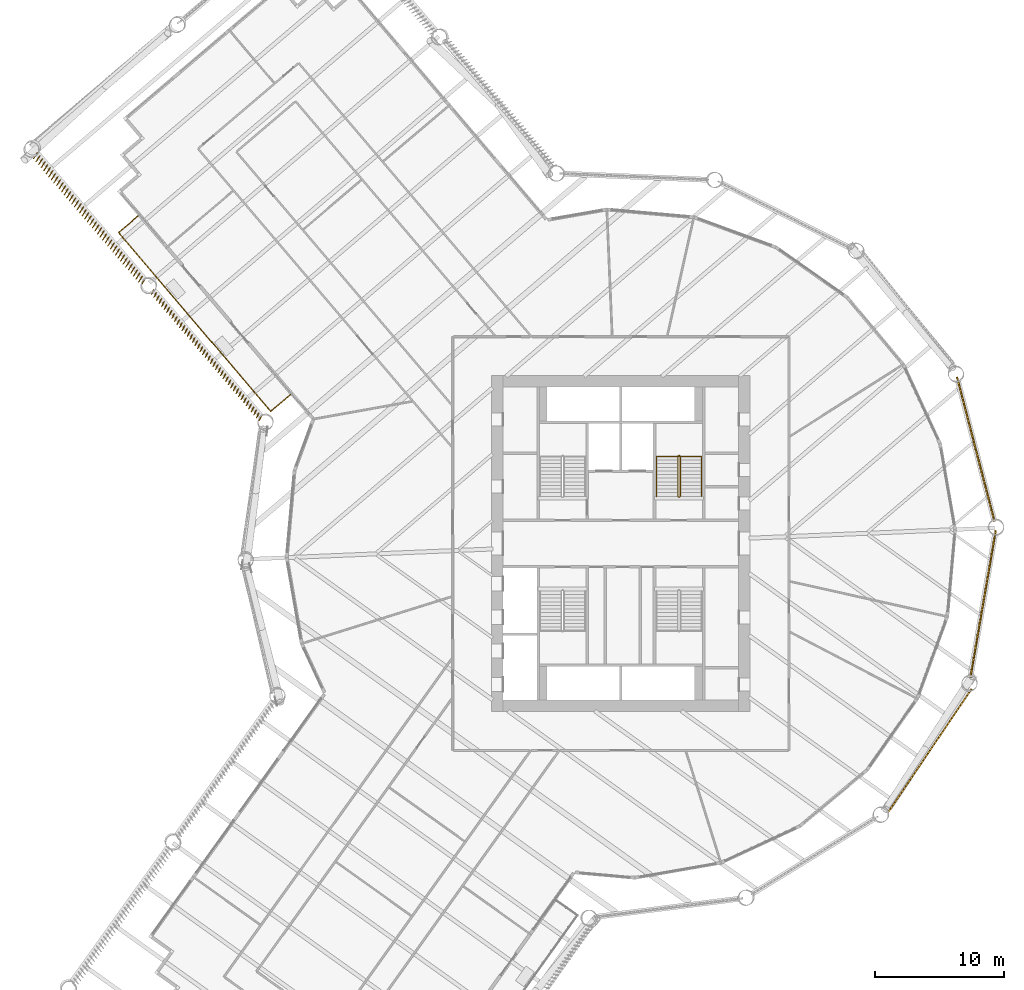
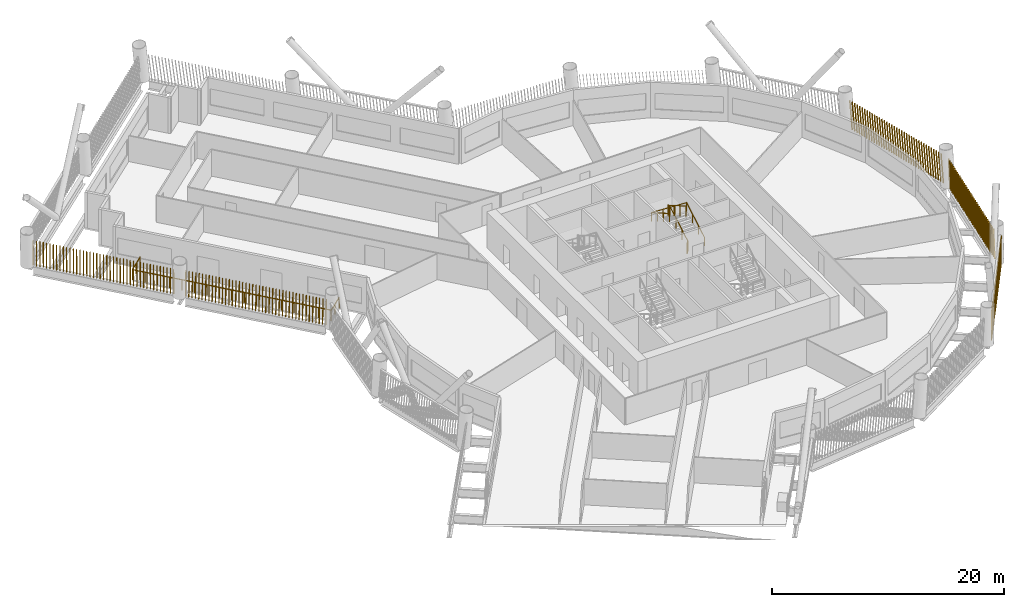
# One storey, part 19 of 21: 5 shading devices, 3 railings.
"""IFC4 building model written with IfcOpenShell, lengths in metres."""

from ifc_helpers import new_model, si_unit, direction, frame, frame_2d, origin, origin_2d, place, context, subcontext, project, spatial, rectangle, circle, composite_profile, extrude, material, type_object, element, save


model = new_model("IFC4")

# Units and contexts
model_context = context("Model", 3, precision=1e-05, world=origin(), true_north=direction((0.0, 1.0)))
body_context = subcontext(model_context, "Body", "Model", "MODEL_VIEW")
ifc_project = project(units=[si_unit("LENGTHUNIT", "METRE"), si_unit("AREAUNIT", "SQUARE_METRE"), si_unit("VOLUMEUNIT", "CUBIC_METRE"), si_unit("PLANEANGLEUNIT", "RADIAN"), si_unit("MASSUNIT", "GRAM", prefix="KILO")], contexts=[model_context])

# Site, building, storey
site_placement = place(None, origin())
site = spatial("IfcSite", under=ifc_project, at=site_placement, CompositionType="ELEMENT")
building_placement = place(site_placement, origin())
building = spatial("IfcBuilding", under=site, at=building_placement, Name="Tarsis Ring Headquarters", CompositionType="ELEMENT")
storey_placement = place(building_placement, frame((0.0, 0.0, 47.800048828125)))
storey = spatial("IfcBuildingStorey", under=building, at=storey_placement, Name="L09", CompositionType="ELEMENT", Elevation=47.800048828125)

# Railings
ifc_material_1 = material(Name="Stainless steel guard", Category="steel")
railing_type_1 = type_object("IfcRailingType", Name="Balcony balustrade with mesh infill 1100", PredefinedType="BALUSTRADE", material=ifc_material_1)
railing_1_placement = place(storey_placement, frame((-37.331787109375, 25.349365234375, 0.0)))
element("IfcRailing", 1, at=railing_1_placement, inside=storey, type_object=railing_type_1, Name="Balcony balustrade L09-01", PredefinedType="BALUSTRADE", context=body_context, shape_type="SweptSolid", body=[
    extrude(circle(Radius=0.030029296875, at=origin_2d()), frame((0.0, 0.0, 1.070068359375), z_axis=(-0.761535543631, -0.648123148627, 0.0), x_axis=(0.648123148627, -0.761535543631, 0.0)), (0.0, 0.0, 1.0), 1.999755859375),
    extrude(circle(Radius=0.030029296875, at=origin_2d()), frame((-1.52294921875, -1.296142578125, 1.070068359375), z_axis=(0.648119789971, -0.761538402084, 0.0), x_axis=(0.761538402084, 0.648119789971, 0.0)), (0.0, 0.0, 1.0), 18.171875),
    extrude(circle(Radius=0.030029296875, at=origin_2d()), frame((10.254638671875, -15.134765625, 1.070068359375), z_axis=(0.761586817881, 0.64806289728, 0.0), x_axis=(-0.64806289728, 0.761586817881, 0.0)), (0.0, 0.0, 1.0), 2.0),
    extrude(circle(Radius=0.02490234375, at=origin_2d()), origin(), (0.0, 0.0, 1.0), 1.0400390625),
    extrude(circle(Radius=0.02490234375, at=origin_2d()), frame((-0.761474609375, -0.64794921875, 0.0)), (0.0, 0.0, 1.0), 1.0400390625),
    extrude(circle(Radius=0.02490234375, at=origin_2d()), frame((-1.52294921875, -1.296142578125, 0.0)), (0.0, 0.0, 1.0), 1.0400390625),
    extrude(circle(Radius=0.02490234375, at=origin_2d()), frame((-0.786865234375, -2.1611328125, 0.0)), (0.0, 0.0, 1.0), 1.0400390625),
    extrude(circle(Radius=0.02490234375, at=origin_2d()), frame((-0.05078125, -3.02587890625, 0.0)), (0.0, 0.0, 1.0), 1.0400390625),
    extrude(circle(Radius=0.02490234375, at=origin_2d()), frame((0.685302734375, -3.890869140625, 0.0)), (0.0, 0.0, 1.0), 1.0400390625),
    extrude(circle(Radius=0.02490234375, at=origin_2d()), frame((1.42138671875, -4.755859375, 0.0)), (0.0, 0.0, 1.0), 1.0400390625),
    extrude(circle(Radius=0.02490234375, at=origin_2d()), frame((2.157470703125, -5.62060546875, 0.0)), (0.0, 0.0, 1.0), 1.0400390625),
    extrude(circle(Radius=0.02490234375, at=origin_2d()), frame((2.8935546875, -6.485595703125, 0.0)), (0.0, 0.0, 1.0), 1.0400390625),
    extrude(circle(Radius=0.02490234375, at=origin_2d()), frame((3.629638671875, -7.3505859375, 0.0)), (0.0, 0.0, 1.0), 1.0400390625),
    extrude(circle(Radius=0.02490234375, at=origin_2d()), frame((4.36572265625, -8.21533203125, 0.0)), (0.0, 0.0, 1.0), 1.0400390625),
    extrude(circle(Radius=0.02490234375, at=origin_2d()), frame((5.10205078125, -9.080322265625, 0.0)), (0.0, 0.0, 1.0), 1.0400390625),
    extrude(circle(Radius=0.02490234375, at=origin_2d()), frame((5.838134765625, -9.9453125, 0.0)), (0.0, 0.0, 1.0), 1.0400390625),
    extrude(circle(Radius=0.02490234375, at=origin_2d()), frame((6.57421875, -10.810302734375, 0.0)), (0.0, 0.0, 1.0), 1.0400390625),
    extrude(circle(Radius=0.02490234375, at=origin_2d()), frame((7.310302734375, -11.675048828125, 0.0)), (0.0, 0.0, 1.0), 1.0400390625),
    extrude(circle(Radius=0.02490234375, at=origin_2d()), frame((8.04638671875, -12.5400390625, 0.0)), (0.0, 0.0, 1.0), 1.0400390625),
    extrude(circle(Radius=0.02490234375, at=origin_2d()), frame((8.782470703125, -13.405029296875, 0.0)), (0.0, 0.0, 1.0), 1.0400390625),
    extrude(circle(Radius=0.02490234375, at=origin_2d()), frame((9.5185546875, -14.269775390625, 0.0)), (0.0, 0.0, 1.0), 1.0400390625),
    extrude(circle(Radius=0.02490234375, at=origin_2d()), frame((10.254638671875, -15.134765625, 0.0)), (0.0, 0.0, 1.0), 1.0400390625),
    extrude(circle(Radius=0.02490234375, at=origin_2d()), frame((11.01611328125, -14.48681640625, 0.0)), (0.0, 0.0, 1.0), 1.0400390625),
    extrude(circle(Radius=0.02490234375, at=origin_2d()), frame((11.77783203125, -13.838623046875, 0.0)), (0.0, 0.0, 1.0), 1.0400390625),
])
ifc_material_2 = material(Name="Steel S355", Category="steel")
railing_type_2 = type_object("IfcRailingType", Name="Core stair guard 1100", PredefinedType="GUARDRAIL", material=ifc_material_2)
railing_2_placement = place(storey_placement, frame((4.4599609375, 3.610107421875, 0.0)))
element("IfcRailing", 2, at=railing_2_placement, inside=storey, type_object=railing_type_2, Name="L09 ST2 stair guard 1", PredefinedType="GUARDRAIL", context=body_context, shape_type="SweptSolid", body=[
    extrude(circle(Radius=0.02392578125, at=origin_2d()), frame((0.0, 0.0, 1.076171875), z_axis=(1.0, 0.0, 0.0), x_axis=(0.0, 1.0, 0.0)), (0.0, 0.0, 1.0), 0.080078125),
    extrude(circle(Radius=0.02392578125, at=origin_2d()), frame((0.080078125, 0.0, 1.076171875), z_axis=(0.282693820306, 0.281314826061, 0.917031173188), x_axis=(-0.705375805398, 0.708833529934, 0.0)), (0.0, 0.0, 1.0), 0.177001953125),
    extrude(circle(Radius=0.02392578125, at=origin_2d()), frame((0.130126953125, 0.0498046875, 1.23828125), z_axis=(0.0, 0.864890721111, 0.501960198159), x_axis=(-1.0, 0.0, 0.0)), (0.0, 0.0, 1.0), 3.561279296875),
    extrude(circle(Radius=0.02392578125, at=origin_2d()), frame((0.130126953125, 3.1298828125, 3.02587890625), z_axis=(-0.707106781187, 0.707106781187, 0.0), x_axis=(-0.707106781187, -0.707106781187, 0.0)), (0.0, 0.0, 1.0), 0.07080078125),
    extrude(circle(Radius=0.02392578125, at=origin_2d()), frame((0.080078125, 3.179931640625, 3.02587890625), z_axis=(-1.0, 0.0, 0.0), x_axis=(0.0, -1.0, 0.0)), (0.0, 0.0, 1.0), 0.080078125),
    extrude(circle(Radius=0.02392578125, at=origin_2d()), frame((0.0, 3.179931640625, 3.02587890625), z_axis=(-0.282227285176, -0.282227285176, 0.916894497205), x_axis=(0.707106781187, -0.707106781187, 0.0)), (0.0, 0.0, 1.0), 0.17724609375),
    extrude(circle(Radius=0.02392578125, at=origin_2d()), frame((-0.050048828125, 3.1298828125, 3.1884765625), z_axis=(0.0, -0.864920483161, 0.501908913857), x_axis=(1.0, 0.0, 0.0)), (0.0, 0.0, 1.0), 3.56103515625),
    extrude(circle(Radius=0.02099609375, at=origin_2d()), origin(), (0.0, 0.0, 1.0), 1.052001953125),
    extrude(circle(Radius=0.02099609375, at=origin_2d()), frame((0.080078125, 0.0, 0.0)), (0.0, 0.0, 1.0), 1.052001953125),
    extrude(circle(Radius=0.02099609375, at=origin_2d()), frame((0.130126953125, 0.0498046875, 0.162353515625)), (0.0, 0.0, 1.0), 1.052001953125),
    extrude(circle(Radius=0.02099609375, at=origin_2d()), frame((0.130126953125, 1.076416015625, 0.75830078125)), (0.0, 0.0, 1.0), 1.052001953125),
    extrude(circle(Radius=0.02099609375, at=origin_2d()), frame((0.130126953125, 2.103271484375, 1.35400390625)), (0.0, 0.0, 1.0), 1.052001953125),
    extrude(circle(Radius=0.02099609375, at=origin_2d()), frame((0.130126953125, 3.1298828125, 1.949951171875)), (0.0, 0.0, 1.0), 1.052001953125),
    extrude(circle(Radius=0.02099609375, at=origin_2d()), frame((0.080078125, 3.179931640625, 1.949951171875)), (0.0, 0.0, 1.0), 1.052001953125),
    extrude(circle(Radius=0.02099609375, at=origin_2d()), frame((0.0, 3.179931640625, 1.949951171875)), (0.0, 0.0, 1.0), 1.052001953125),
    extrude(circle(Radius=0.02099609375, at=origin_2d()), frame((-0.050048828125, 3.1298828125, 2.112548828125)), (0.0, 0.0, 1.0), 1.052001953125),
    extrude(circle(Radius=0.02099609375, at=origin_2d()), frame((-0.050048828125, 2.103271484375, 2.708251953125)), (0.0, 0.0, 1.0), 1.052001953125),
    extrude(circle(Radius=0.02099609375, at=origin_2d()), frame((-0.050048828125, 1.076416015625, 3.30419921875)), (0.0, 0.0, 1.0), 1.052001953125),
    extrude(circle(Radius=0.02099609375, at=origin_2d()), frame((-0.050048828125, 0.0498046875, 3.89990234375)), (0.0, 0.0, 1.0), 1.052001953125),
])
railing_type_3 = type_object("IfcRailingType", Name="Core stair handrail 900", PredefinedType="HANDRAIL", material=ifc_material_2)
railing_3_placement = place(storey_placement, frame((6.25, 3.659912109375, 0.162353515625)))
element("IfcRailing", 3, at=railing_3_placement, inside=storey, type_object=railing_type_3, Name="L09 ST2 stair handrail 1", PredefinedType="HANDRAIL", context=body_context, shape_type="SweptSolid", body=[
    extrude(circle(Radius=0.02392578125, at=origin_2d()), frame((0.0, 0.0, 0.8759765625), z_axis=(0.0, 0.864890721111, 0.501960198159), x_axis=(-1.0, 0.0, 0.0)), (0.0, 0.0, 1.0), 3.561279296875),
    extrude(circle(Radius=0.02392578125, at=origin_2d()), frame((0.0, 3.080078125, 2.66357421875), z_axis=(-0.998922641604, 0.0, 0.046406422943), x_axis=(0.0, -1.0, 0.0)), (0.0, 0.0, 1.0), 3.503662109375),
    extrude(circle(Radius=0.02392578125, at=origin_2d()), frame((-3.5, 3.080078125, 2.826171875), z_axis=(0.0, -0.864920483161, 0.501908913857), x_axis=(1.0, 0.0, 0.0)), (0.0, 0.0, 1.0), 3.56103515625),
    extrude(circle(Radius=0.02099609375, at=origin_2d()), origin(), (0.0, 0.0, 1.0), 0.851806640625),
    extrude(circle(Radius=0.02099609375, at=origin_2d()), frame((0.0, 1.026611328125, 0.595947265625)), (0.0, 0.0, 1.0), 0.851806640625),
    extrude(circle(Radius=0.02099609375, at=origin_2d()), frame((0.0, 2.053466796875, 1.191650390625)), (0.0, 0.0, 1.0), 0.851806640625),
    extrude(circle(Radius=0.02099609375, at=origin_2d()), frame((0.0, 3.080078125, 1.78759765625)), (0.0, 0.0, 1.0), 0.851806640625),
    extrude(circle(Radius=0.02099609375, at=origin_2d()), frame((-1.166748046875, 3.080078125, 1.841796875)), (0.0, 0.0, 1.0), 0.851806640625),
    extrude(circle(Radius=0.02099609375, at=origin_2d()), frame((-2.333251953125, 3.080078125, 1.89599609375)), (0.0, 0.0, 1.0), 0.851806640625),
    extrude(circle(Radius=0.02099609375, at=origin_2d()), frame((-3.5, 3.080078125, 1.9501953125)), (0.0, 0.0, 1.0), 0.851806640625),
    extrude(circle(Radius=0.02099609375, at=origin_2d()), frame((-3.5, 2.053466796875, 2.5458984375)), (0.0, 0.0, 1.0), 0.851806640625),
    extrude(circle(Radius=0.02099609375, at=origin_2d()), frame((-3.5, 1.026611328125, 3.141845703125)), (0.0, 0.0, 1.0), 0.851806640625),
    extrude(circle(Radius=0.02099609375, at=origin_2d()), frame((-3.5, 0.0, 3.737548828125)), (0.0, 0.0, 1.0), 0.851806640625),
])

# Shading devices
ifc_material_3 = material(Name="Terracotta baguette", Category="masonry")
shading_device_type = type_object("IfcShadingDeviceType", Name="Terracotta baguette screen", PredefinedType="USERDEFINED", material=ifc_material_3)
shading_device_1_placement = place(storey_placement, frame((20.66552734375, -20.792236328125, 0.0), z_axis=(0.0, 0.0, 1.0), x_axis=(0.560846446012, 0.827932718394, 0.0)))
element("IfcShadingDevice", 4, at=shading_device_1_placement, inside=storey, type_object=shading_device_type, Name="Baguette screen L09-09", ObjectType="Terracotta baguette screen", PredefinedType="USERDEFINED", context=body_context, shape_type="SweptSolid", body=[
    extrude(composite_profile([rectangle(XDim=0.06005859375, YDim=0.1201171875, at=frame_2d((0.030029296875, 0.0))), rectangle(XDim=0.06005859375, YDim=0.1201171875, at=frame_2d((0.33251953125, 0.0))), rectangle(XDim=0.06005859375, YDim=0.1201171875, at=frame_2d((0.634765625, 0.0))), rectangle(XDim=0.06005859375, YDim=0.1201171875, at=frame_2d((0.937255859375, 0.0))), rectangle(XDim=0.06005859375, YDim=0.1201171875, at=frame_2d((1.239501953125, 0.0))), rectangle(XDim=0.06005859375, YDim=0.1201171875, at=frame_2d((1.5419921875, 0.0))), rectangle(XDim=0.06005859375, YDim=0.1201171875, at=frame_2d((1.844482421875, 0.0))), rectangle(XDim=0.06005859375, YDim=0.1201171875, at=frame_2d((2.146728515625, 0.0))), rectangle(XDim=0.06005859375, YDim=0.1201171875, at=frame_2d((2.44921875, 0.0))), rectangle(XDim=0.06005859375, YDim=0.1201171875, at=frame_2d((2.751708984375, 0.0))), rectangle(XDim=0.06005859375, YDim=0.1201171875, at=frame_2d((3.053955078125, 0.0))), rectangle(XDim=0.06005859375, YDim=0.1201171875, at=frame_2d((3.3564453125, 0.0))), rectangle(XDim=0.06005859375, YDim=0.1201171875, at=frame_2d((3.65869140625, 0.0))), rectangle(XDim=0.06005859375, YDim=0.1201171875, at=frame_2d((3.961181640625, 0.0))), rectangle(XDim=0.06005859375, YDim=0.1201171875, at=frame_2d((4.263671875, 0.0))), rectangle(XDim=0.06005859375, YDim=0.1201171875, at=frame_2d((4.56591796875, 0.0))), rectangle(XDim=0.06005859375, YDim=0.1201171875, at=frame_2d((4.868408203125, 0.0))), rectangle(XDim=0.06005859375, YDim=0.1201171875, at=frame_2d((5.1708984375, 0.0))), rectangle(XDim=0.06005859375, YDim=0.1201171875, at=frame_2d((5.47314453125, 0.0))), rectangle(XDim=0.06005859375, YDim=0.1201171875, at=frame_2d((5.775634765625, 0.0))), rectangle(XDim=0.06005859375, YDim=0.1201171875, at=frame_2d((6.077880859375, 0.0))), rectangle(XDim=0.06005859375, YDim=0.1201171875, at=frame_2d((6.38037109375, 0.0))), rectangle(XDim=0.06005859375, YDim=0.1201171875, at=frame_2d((6.682861328125, 0.0))), rectangle(XDim=0.06005859375, YDim=0.1201171875, at=frame_2d((6.985107421875, 0.0))), rectangle(XDim=0.06005859375, YDim=0.1201171875, at=frame_2d((7.28759765625, 0.0))), rectangle(XDim=0.06005859375, YDim=0.1201171875, at=frame_2d((7.590087890625, 0.0))), rectangle(XDim=0.06005859375, YDim=0.1201171875, at=frame_2d((7.892333984375, 0.0))), rectangle(XDim=0.06005859375, YDim=0.1201171875, at=frame_2d((8.19482421875, 0.0))), rectangle(XDim=0.06005859375, YDim=0.1201171875, at=frame_2d((8.4970703125, 0.0))), rectangle(XDim=0.06005859375, YDim=0.1201171875, at=frame_2d((8.799560546875, 0.0))), rectangle(XDim=0.06005859375, YDim=0.1201171875, at=frame_2d((9.10205078125, 0.0))), rectangle(XDim=0.06005859375, YDim=0.1201171875, at=frame_2d((9.404296875, 0.0))), rectangle(XDim=0.06005859375, YDim=0.1201171875, at=frame_2d((9.706787109375, 0.0))), rectangle(XDim=0.06005859375, YDim=0.1201171875, at=frame_2d((10.00927734375, 0.0))), rectangle(XDim=0.06005859375, YDim=0.1201171875, at=frame_2d((10.3115234375, 0.0))), rectangle(XDim=0.06005859375, YDim=0.1201171875, at=frame_2d((10.614013671875, 0.0))), rectangle(XDim=0.06005859375, YDim=0.1201171875, at=frame_2d((10.916259765625, 0.0))), rectangle(XDim=0.06005859375, YDim=0.1201171875, at=frame_2d((11.21875, 0.0)))]), origin(), (0.10151150968, 0.000531852225, 0.99483422264), 2.968017578125),
])
shading_device_2_placement = place(storey_placement, frame((27.029052734375, -10.362060546875, 0.0), z_axis=(0.0, 0.0, 1.0), x_axis=(0.169723277265, 0.985501899078, 0.0)))
element("IfcShadingDevice", 5, at=shading_device_2_placement, inside=storey, type_object=shading_device_type, Name="Baguette screen L09-10", ObjectType="Terracotta baguette screen", PredefinedType="USERDEFINED", context=body_context, shape_type="SweptSolid", body=[
    extrude(composite_profile([rectangle(XDim=0.06005859375, YDim=0.1201171875, at=frame_2d((0.030029296875, 0.0))), rectangle(XDim=0.06005859375, YDim=0.1201171875, at=frame_2d((0.33251953125, 0.0))), rectangle(XDim=0.06005859375, YDim=0.1201171875, at=frame_2d((0.634765625, 0.0))), rectangle(XDim=0.06005859375, YDim=0.1201171875, at=frame_2d((0.937255859375, 0.0))), rectangle(XDim=0.06005859375, YDim=0.1201171875, at=frame_2d((1.239501953125, 0.0))), rectangle(XDim=0.06005859375, YDim=0.1201171875, at=frame_2d((1.5419921875, 0.0))), rectangle(XDim=0.06005859375, YDim=0.1201171875, at=frame_2d((1.844482421875, 0.0))), rectangle(XDim=0.06005859375, YDim=0.1201171875, at=frame_2d((2.146728515625, 0.0))), rectangle(XDim=0.06005859375, YDim=0.1201171875, at=frame_2d((2.44921875, 0.0))), rectangle(XDim=0.06005859375, YDim=0.1201171875, at=frame_2d((2.751708984375, 0.0))), rectangle(XDim=0.06005859375, YDim=0.1201171875, at=frame_2d((3.053955078125, 0.0))), rectangle(XDim=0.06005859375, YDim=0.1201171875, at=frame_2d((3.3564453125, 0.0))), rectangle(XDim=0.06005859375, YDim=0.1201171875, at=frame_2d((3.65869140625, 0.0))), rectangle(XDim=0.06005859375, YDim=0.1201171875, at=frame_2d((3.961181640625, 0.0))), rectangle(XDim=0.06005859375, YDim=0.1201171875, at=frame_2d((4.263671875, 0.0))), rectangle(XDim=0.06005859375, YDim=0.1201171875, at=frame_2d((4.56591796875, 0.0))), rectangle(XDim=0.06005859375, YDim=0.1201171875, at=frame_2d((4.868408203125, 0.0))), rectangle(XDim=0.06005859375, YDim=0.1201171875, at=frame_2d((5.1708984375, 0.0))), rectangle(XDim=0.06005859375, YDim=0.1201171875, at=frame_2d((5.47314453125, 0.0))), rectangle(XDim=0.06005859375, YDim=0.1201171875, at=frame_2d((5.775634765625, 0.0))), rectangle(XDim=0.06005859375, YDim=0.1201171875, at=frame_2d((6.077880859375, 0.0))), rectangle(XDim=0.06005859375, YDim=0.1201171875, at=frame_2d((6.38037109375, 0.0))), rectangle(XDim=0.06005859375, YDim=0.1201171875, at=frame_2d((6.682861328125, 0.0))), rectangle(XDim=0.06005859375, YDim=0.1201171875, at=frame_2d((6.985107421875, 0.0))), rectangle(XDim=0.06005859375, YDim=0.1201171875, at=frame_2d((7.28759765625, 0.0))), rectangle(XDim=0.06005859375, YDim=0.1201171875, at=frame_2d((7.590087890625, 0.0))), rectangle(XDim=0.06005859375, YDim=0.1201171875, at=frame_2d((7.892333984375, 0.0))), rectangle(XDim=0.06005859375, YDim=0.1201171875, at=frame_2d((8.19482421875, 0.0))), rectangle(XDim=0.06005859375, YDim=0.1201171875, at=frame_2d((8.4970703125, 0.0))), rectangle(XDim=0.06005859375, YDim=0.1201171875, at=frame_2d((8.799560546875, 0.0))), rectangle(XDim=0.06005859375, YDim=0.1201171875, at=frame_2d((9.10205078125, 0.0))), rectangle(XDim=0.06005859375, YDim=0.1201171875, at=frame_2d((9.404296875, 0.0))), rectangle(XDim=0.06005859375, YDim=0.1201171875, at=frame_2d((9.706787109375, 0.0))), rectangle(XDim=0.06005859375, YDim=0.1201171875, at=frame_2d((10.00927734375, 0.0))), rectangle(XDim=0.06005859375, YDim=0.1201171875, at=frame_2d((10.3115234375, 0.0))), rectangle(XDim=0.06005859375, YDim=0.1201171875, at=frame_2d((10.614013671875, 0.0))), rectangle(XDim=0.06005859375, YDim=0.1201171875, at=frame_2d((10.916259765625, 0.0))), rectangle(XDim=0.06005859375, YDim=0.1201171875, at=frame_2d((11.21875, 0.0)))]), origin(), (0.100201561406, 0.000525261975, 0.994967020153), 2.967529296875),
])
shading_device_3_placement = place(storey_placement, frame((28.897216796875, 1.700439453125, 0.0), z_axis=(0.0, 0.0, 1.0), x_axis=(-0.25158979924, 0.967835051546, 0.0)))
element("IfcShadingDevice", 6, at=shading_device_3_placement, inside=storey, type_object=shading_device_type, Name="Baguette screen L09-11", ObjectType="Terracotta baguette screen", PredefinedType="USERDEFINED", context=body_context, shape_type="SweptSolid", body=[
    extrude(composite_profile([rectangle(XDim=0.06005859375, YDim=0.1201171875, at=frame_2d((0.030029296875, 0.0))), rectangle(XDim=0.06005859375, YDim=0.1201171875, at=frame_2d((0.33251953125, 0.0))), rectangle(XDim=0.06005859375, YDim=0.1201171875, at=frame_2d((0.634765625, 0.0))), rectangle(XDim=0.06005859375, YDim=0.1201171875, at=frame_2d((0.937255859375, 0.0))), rectangle(XDim=0.06005859375, YDim=0.1201171875, at=frame_2d((1.239501953125, 0.0))), rectangle(XDim=0.06005859375, YDim=0.1201171875, at=frame_2d((1.5419921875, 0.0))), rectangle(XDim=0.06005859375, YDim=0.1201171875, at=frame_2d((1.844482421875, 0.0))), rectangle(XDim=0.06005859375, YDim=0.1201171875, at=frame_2d((2.146728515625, 0.0))), rectangle(XDim=0.06005859375, YDim=0.1201171875, at=frame_2d((2.44921875, 0.0))), rectangle(XDim=0.06005859375, YDim=0.1201171875, at=frame_2d((2.751708984375, 0.0))), rectangle(XDim=0.06005859375, YDim=0.1201171875, at=frame_2d((3.053955078125, 0.0))), rectangle(XDim=0.06005859375, YDim=0.1201171875, at=frame_2d((3.3564453125, 0.0))), rectangle(XDim=0.06005859375, YDim=0.1201171875, at=frame_2d((3.65869140625, 0.0))), rectangle(XDim=0.06005859375, YDim=0.1201171875, at=frame_2d((3.961181640625, 0.0))), rectangle(XDim=0.06005859375, YDim=0.1201171875, at=frame_2d((4.263671875, 0.0))), rectangle(XDim=0.06005859375, YDim=0.1201171875, at=frame_2d((4.56591796875, 0.0))), rectangle(XDim=0.06005859375, YDim=0.1201171875, at=frame_2d((4.868408203125, 0.0))), rectangle(XDim=0.06005859375, YDim=0.1201171875, at=frame_2d((5.1708984375, 0.0))), rectangle(XDim=0.06005859375, YDim=0.1201171875, at=frame_2d((5.47314453125, 0.0))), rectangle(XDim=0.06005859375, YDim=0.1201171875, at=frame_2d((5.775634765625, 0.0))), rectangle(XDim=0.06005859375, YDim=0.1201171875, at=frame_2d((6.077880859375, 0.0))), rectangle(XDim=0.06005859375, YDim=0.1201171875, at=frame_2d((6.38037109375, 0.0))), rectangle(XDim=0.06005859375, YDim=0.1201171875, at=frame_2d((6.682861328125, 0.0))), rectangle(XDim=0.06005859375, YDim=0.1201171875, at=frame_2d((6.985107421875, 0.0))), rectangle(XDim=0.06005859375, YDim=0.1201171875, at=frame_2d((7.28759765625, 0.0))), rectangle(XDim=0.06005859375, YDim=0.1201171875, at=frame_2d((7.590087890625, 0.0))), rectangle(XDim=0.06005859375, YDim=0.1201171875, at=frame_2d((7.892333984375, 0.0))), rectangle(XDim=0.06005859375, YDim=0.1201171875, at=frame_2d((8.19482421875, 0.0))), rectangle(XDim=0.06005859375, YDim=0.1201171875, at=frame_2d((8.4970703125, 0.0))), rectangle(XDim=0.06005859375, YDim=0.1201171875, at=frame_2d((8.799560546875, 0.0))), rectangle(XDim=0.06005859375, YDim=0.1201171875, at=frame_2d((9.10205078125, 0.0))), rectangle(XDim=0.06005859375, YDim=0.1201171875, at=frame_2d((9.404296875, 0.0))), rectangle(XDim=0.06005859375, YDim=0.1201171875, at=frame_2d((9.706787109375, 0.0))), rectangle(XDim=0.06005859375, YDim=0.1201171875, at=frame_2d((10.00927734375, 0.0))), rectangle(XDim=0.06005859375, YDim=0.1201171875, at=frame_2d((10.3115234375, 0.0))), rectangle(XDim=0.06005859375, YDim=0.1201171875, at=frame_2d((10.614013671875, 0.0))), rectangle(XDim=0.06005859375, YDim=0.1201171875, at=frame_2d((10.916259765625, 0.0))), rectangle(XDim=0.06005859375, YDim=0.1201171875, at=frame_2d((11.21875, 0.0)))]), origin(), (0.100200512787, 0.000524131438, 0.994967126353), 2.967529296875),
])
shading_device_4_placement = place(storey_placement, frame((-45.16748046875, 30.236328125, 0.0), z_axis=(0.0, 0.0, 1.0), x_axis=(0.648122918559, -0.761542537087, 0.0)))
element("IfcShadingDevice", 7, at=shading_device_4_placement, inside=storey, type_object=shading_device_type, Name="Baguette screen L09-19", ObjectType="Terracotta baguette screen", PredefinedType="USERDEFINED", context=body_context, shape_type="SweptSolid", body=[
    extrude(composite_profile([rectangle(XDim=0.06005859375, YDim=0.1201171875, at=frame_2d((0.030029296875, 0.0))), rectangle(XDim=0.06005859375, YDim=0.1201171875, at=frame_2d((0.335693359375, 0.0))), rectangle(XDim=0.06005859375, YDim=0.1201171875, at=frame_2d((0.6416015625, 0.0))), rectangle(XDim=0.06005859375, YDim=0.1201171875, at=frame_2d((0.947265625, 0.0))), rectangle(XDim=0.06005859375, YDim=0.1201171875, at=frame_2d((1.253173828125, 0.0))), rectangle(XDim=0.06005859375, YDim=0.1201171875, at=frame_2d((1.558837890625, 0.0))), rectangle(XDim=0.06005859375, YDim=0.1201171875, at=frame_2d((1.864501953125, 0.0))), rectangle(XDim=0.06005859375, YDim=0.1201171875, at=frame_2d((2.17041015625, 0.0))), rectangle(XDim=0.06005859375, YDim=0.1201171875, at=frame_2d((2.47607421875, 0.0))), rectangle(XDim=0.06005859375, YDim=0.1201171875, at=frame_2d((2.781982421875, 0.0))), rectangle(XDim=0.06005859375, YDim=0.1201171875, at=frame_2d((3.087646484375, 0.0))), rectangle(XDim=0.06005859375, YDim=0.1201171875, at=frame_2d((3.393310546875, 0.0))), rectangle(XDim=0.06005859375, YDim=0.1201171875, at=frame_2d((3.69921875, 0.0))), rectangle(XDim=0.06005859375, YDim=0.1201171875, at=frame_2d((4.0048828125, 0.0))), rectangle(XDim=0.06005859375, YDim=0.1201171875, at=frame_2d((4.310791015625, 0.0))), rectangle(XDim=0.06005859375, YDim=0.1201171875, at=frame_2d((4.616455078125, 0.0))), rectangle(XDim=0.06005859375, YDim=0.1201171875, at=frame_2d((4.922119140625, 0.0))), rectangle(XDim=0.06005859375, YDim=0.1201171875, at=frame_2d((5.22802734375, 0.0))), rectangle(XDim=0.06005859375, YDim=0.1201171875, at=frame_2d((5.53369140625, 0.0))), rectangle(XDim=0.06005859375, YDim=0.1201171875, at=frame_2d((5.839599609375, 0.0))), rectangle(XDim=0.06005859375, YDim=0.1201171875, at=frame_2d((6.145263671875, 0.0))), rectangle(XDim=0.06005859375, YDim=0.1201171875, at=frame_2d((6.451171875, 0.0))), rectangle(XDim=0.06005859375, YDim=0.1201171875, at=frame_2d((6.7568359375, 0.0))), rectangle(XDim=0.06005859375, YDim=0.1201171875, at=frame_2d((7.0625, 0.0))), rectangle(XDim=0.06005859375, YDim=0.1201171875, at=frame_2d((7.368408203125, 0.0))), rectangle(XDim=0.06005859375, YDim=0.1201171875, at=frame_2d((7.674072265625, 0.0))), rectangle(XDim=0.06005859375, YDim=0.1201171875, at=frame_2d((7.97998046875, 0.0))), rectangle(XDim=0.06005859375, YDim=0.1201171875, at=frame_2d((8.28564453125, 0.0))), rectangle(XDim=0.06005859375, YDim=0.1201171875, at=frame_2d((8.59130859375, 0.0))), rectangle(XDim=0.06005859375, YDim=0.1201171875, at=frame_2d((8.897216796875, 0.0))), rectangle(XDim=0.06005859375, YDim=0.1201171875, at=frame_2d((9.202880859375, 0.0))), rectangle(XDim=0.06005859375, YDim=0.1201171875, at=frame_2d((9.5087890625, 0.0))), rectangle(XDim=0.06005859375, YDim=0.1201171875, at=frame_2d((9.814453125, 0.0))), rectangle(XDim=0.06005859375, YDim=0.1201171875, at=frame_2d((10.1201171875, 0.0))), rectangle(XDim=0.06005859375, YDim=0.1201171875, at=frame_2d((10.426025390625, 0.0))), rectangle(XDim=0.06005859375, YDim=0.1201171875, at=frame_2d((10.731689453125, 0.0))), rectangle(XDim=0.06005859375, YDim=0.1201171875, at=frame_2d((11.03759765625, 0.0))), rectangle(XDim=0.06005859375, YDim=0.1201171875, at=frame_2d((11.34326171875, 0.0))), rectangle(XDim=0.06005859375, YDim=0.1201171875, at=frame_2d((11.64892578125, 0.0))), rectangle(XDim=0.06005859375, YDim=0.1201171875, at=frame_2d((11.954833984375, 0.0))), rectangle(XDim=0.06005859375, YDim=0.1201171875, at=frame_2d((12.260498046875, 0.0))), rectangle(XDim=0.06005859375, YDim=0.1201171875, at=frame_2d((12.56640625, 0.0))), rectangle(XDim=0.06005859375, YDim=0.1201171875, at=frame_2d((12.8720703125, 0.0)))]), origin(), (0.052579036766, -0.160013745302, 0.985713470643), 2.995361328125),
])
shading_device_5_placement = place(storey_placement, frame((-36.1572265625, 19.649169921875, 0.0), z_axis=(0.0, 0.0, 1.0), x_axis=(0.648122918559, -0.761523614896, 0.0)))
element("IfcShadingDevice", 8, at=shading_device_5_placement, inside=storey, type_object=shading_device_type, Name="Baguette screen L09-20", ObjectType="Terracotta baguette screen", PredefinedType="USERDEFINED", context=body_context, shape_type="SweptSolid", body=[
    extrude(composite_profile([rectangle(XDim=0.06005859375, YDim=0.1201171875, at=frame_2d((0.030029296875, 0.0))), rectangle(XDim=0.06005859375, YDim=0.1201171875, at=frame_2d((0.335693359375, 0.0))), rectangle(XDim=0.06005859375, YDim=0.1201171875, at=frame_2d((0.6416015625, 0.0))), rectangle(XDim=0.06005859375, YDim=0.1201171875, at=frame_2d((0.947265625, 0.0))), rectangle(XDim=0.06005859375, YDim=0.1201171875, at=frame_2d((1.253173828125, 0.0))), rectangle(XDim=0.06005859375, YDim=0.1201171875, at=frame_2d((1.558837890625, 0.0))), rectangle(XDim=0.06005859375, YDim=0.1201171875, at=frame_2d((1.864501953125, 0.0))), rectangle(XDim=0.06005859375, YDim=0.1201171875, at=frame_2d((2.17041015625, 0.0))), rectangle(XDim=0.06005859375, YDim=0.1201171875, at=frame_2d((2.47607421875, 0.0))), rectangle(XDim=0.06005859375, YDim=0.1201171875, at=frame_2d((2.781982421875, 0.0))), rectangle(XDim=0.06005859375, YDim=0.1201171875, at=frame_2d((3.087646484375, 0.0))), rectangle(XDim=0.06005859375, YDim=0.1201171875, at=frame_2d((3.393310546875, 0.0))), rectangle(XDim=0.06005859375, YDim=0.1201171875, at=frame_2d((3.69921875, 0.0))), rectangle(XDim=0.06005859375, YDim=0.1201171875, at=frame_2d((4.0048828125, 0.0))), rectangle(XDim=0.06005859375, YDim=0.1201171875, at=frame_2d((4.310791015625, 0.0))), rectangle(XDim=0.06005859375, YDim=0.1201171875, at=frame_2d((4.616455078125, 0.0))), rectangle(XDim=0.06005859375, YDim=0.1201171875, at=frame_2d((4.922119140625, 0.0))), rectangle(XDim=0.06005859375, YDim=0.1201171875, at=frame_2d((5.22802734375, 0.0))), rectangle(XDim=0.06005859375, YDim=0.1201171875, at=frame_2d((5.53369140625, 0.0))), rectangle(XDim=0.06005859375, YDim=0.1201171875, at=frame_2d((5.839599609375, 0.0))), rectangle(XDim=0.06005859375, YDim=0.1201171875, at=frame_2d((6.145263671875, 0.0))), rectangle(XDim=0.06005859375, YDim=0.1201171875, at=frame_2d((6.451171875, 0.0))), rectangle(XDim=0.06005859375, YDim=0.1201171875, at=frame_2d((6.7568359375, 0.0))), rectangle(XDim=0.06005859375, YDim=0.1201171875, at=frame_2d((7.0625, 0.0))), rectangle(XDim=0.06005859375, YDim=0.1201171875, at=frame_2d((7.368408203125, 0.0))), rectangle(XDim=0.06005859375, YDim=0.1201171875, at=frame_2d((7.674072265625, 0.0))), rectangle(XDim=0.06005859375, YDim=0.1201171875, at=frame_2d((7.97998046875, 0.0))), rectangle(XDim=0.06005859375, YDim=0.1201171875, at=frame_2d((8.28564453125, 0.0))), rectangle(XDim=0.06005859375, YDim=0.1201171875, at=frame_2d((8.59130859375, 0.0))), rectangle(XDim=0.06005859375, YDim=0.1201171875, at=frame_2d((8.897216796875, 0.0))), rectangle(XDim=0.06005859375, YDim=0.1201171875, at=frame_2d((9.202880859375, 0.0))), rectangle(XDim=0.06005859375, YDim=0.1201171875, at=frame_2d((9.5087890625, 0.0))), rectangle(XDim=0.06005859375, YDim=0.1201171875, at=frame_2d((9.814453125, 0.0))), rectangle(XDim=0.06005859375, YDim=0.1201171875, at=frame_2d((10.1201171875, 0.0))), rectangle(XDim=0.06005859375, YDim=0.1201171875, at=frame_2d((10.426025390625, 0.0))), rectangle(XDim=0.06005859375, YDim=0.1201171875, at=frame_2d((10.731689453125, 0.0))), rectangle(XDim=0.06005859375, YDim=0.1201171875, at=frame_2d((11.03759765625, 0.0))), rectangle(XDim=0.06005859375, YDim=0.1201171875, at=frame_2d((11.34326171875, 0.0))), rectangle(XDim=0.06005859375, YDim=0.1201171875, at=frame_2d((11.64892578125, 0.0))), rectangle(XDim=0.06005859375, YDim=0.1201171875, at=frame_2d((11.954833984375, 0.0))), rectangle(XDim=0.06005859375, YDim=0.1201171875, at=frame_2d((12.260498046875, 0.0))), rectangle(XDim=0.06005859375, YDim=0.1201171875, at=frame_2d((12.56640625, 0.0))), rectangle(XDim=0.06005859375, YDim=0.1201171875, at=frame_2d((12.8720703125, 0.0)))]), origin(), (0.05267193113, -0.112155214445, 0.992293744586), 2.9755859375),
])

save(model, "model.ifc")
